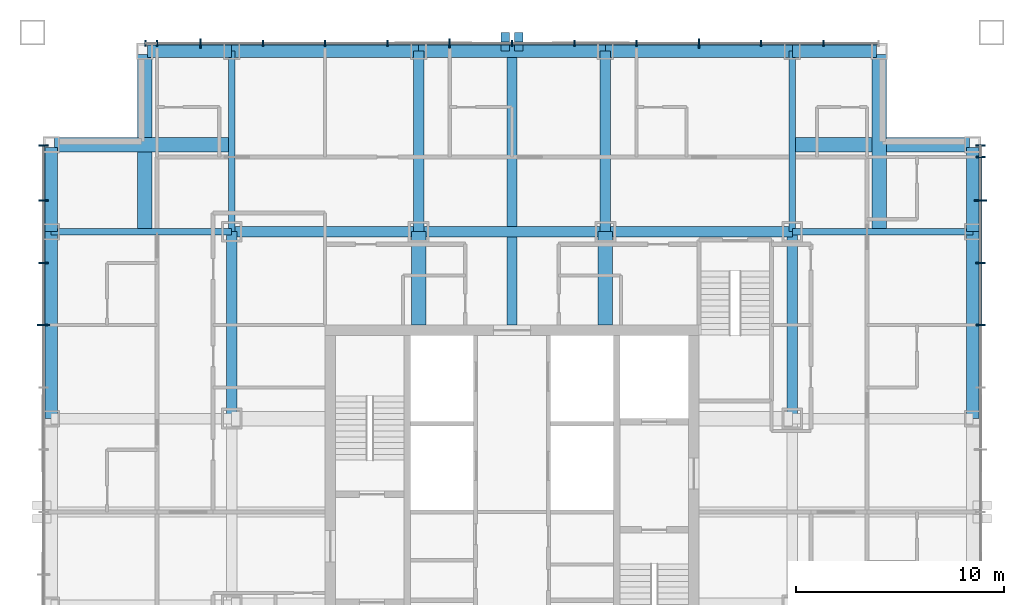
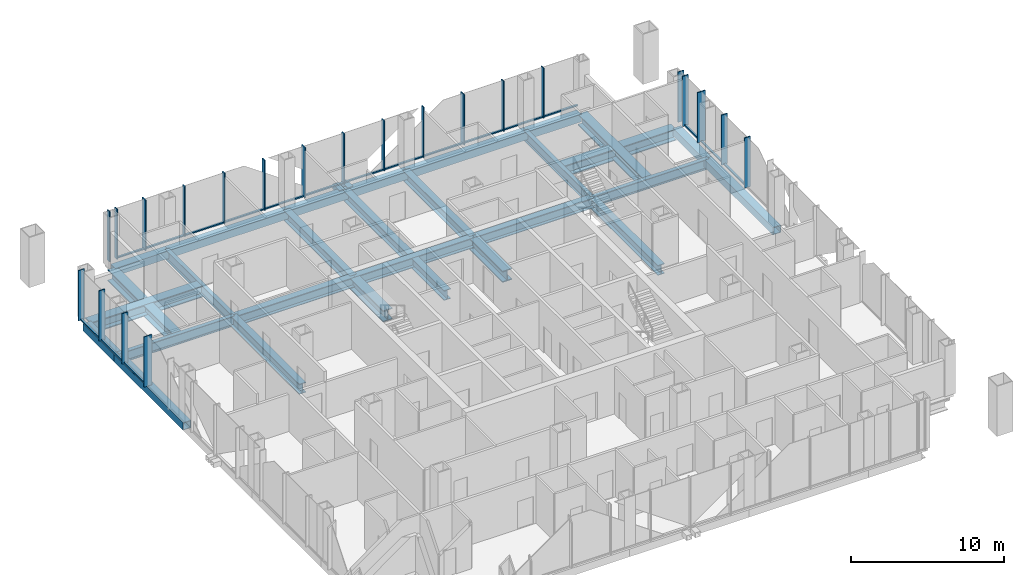
# One storey, part 4 of 17: 42 members, 27 beams, 3 elements without a shape of their own.
"""IFC4 building model written with IfcOpenShell, lengths in metres."""

from ifc_helpers import new_model, si_unit, direction, frame, origin, origin_2d, place, context, subcontext, project, spatial, rectangle, hollow_rectangle, i_section, extrude, material, layer, layer_set, material_profile, profile_set, type_object, element, aggregate, save


model = new_model("IFC4")

# Units and contexts
model_context = context("Model", 3, precision=1e-05, world=origin(), true_north=direction((0.0, 1.0)))
body_context = subcontext(model_context, "Body", "Model", "MODEL_VIEW")
ifc_project = project(units=[si_unit("LENGTHUNIT", "METRE"), si_unit("AREAUNIT", "SQUARE_METRE"), si_unit("VOLUMEUNIT", "CUBIC_METRE"), si_unit("PLANEANGLEUNIT", "RADIAN"), si_unit("MASSUNIT", "GRAM", prefix="KILO")], contexts=[model_context])

# Site, building, storey
site_placement = place(None, origin())
site = spatial("IfcSite", under=ifc_project, at=site_placement, CompositionType="ELEMENT")
building_placement = place(site_placement, origin())
building = spatial("IfcBuilding", under=site, at=building_placement, Name="Malebo Sky Hospital", CompositionType="ELEMENT")
storey_placement = place(building_placement, frame((0.0, 0.0, 193.0)))
storey = spatial("IfcBuildingStorey", under=building, at=storey_placement, Name="L46", CompositionType="ELEMENT", Elevation=193.0)

# Curtain wall, members
ifc_material_1 = material(Name="Anodised aluminium, natural silver", Category="aluminium")
ifc_layer_1 = layer(ifc_material_1, 0.25)
ifc_layer_set_1 = layer_set([ifc_layer_1], Name="WARD CURTAIN WALL NORTH AND SOUTH")
curtain_wall_type_1 = type_object("IfcCurtainWallType", Name="WARD CURTAIN WALL NORTH AND SOUTH", PredefinedType="NOTDEFINED", material=ifc_layer_set_1)
curtain_wall_1_placement = place(storey_placement, origin())
curtain_wall_1 = element("IfcCurtainWall", 1, at=curtain_wall_1_placement, inside=storey, type_object=curtain_wall_type_1, Name="NS curtain wall N", PredefinedType="NOTDEFINED")
ifc_material_profile_1 = material_profile(ifc_material_1, rectangle(XDim=0.14990234375, YDim=0.10009765625, at=origin_2d()), Name="ALUMINIUM TRANSOM 150x100")
ifc_profile_set_1 = profile_set([ifc_material_profile_1], Name="Anodised aluminium, natural silver")
member_type_1 = type_object("IfcMemberType", Name="ALUMINIUM TRANSOM 150x100", PredefinedType="USERDEFINED", material=ifc_profile_set_1)
member_1_placement = place(storey_placement, frame((42.9375, 84.574951171875, 0.050048828125), z_axis=(1.0, 0.0, 0.0), x_axis=(0.0, 1.0, 0.0)))
member_1 = element("IfcMember", 2, at=member_1_placement, type_object=member_type_1, Name="Transom 2", ObjectType="TRANSOM", PredefinedType="USERDEFINED", context=body_context, shape_type="SweptSolid", body=[
    extrude(rectangle(XDim=0.14990234375, YDim=0.10009765625, at=origin_2d()), origin(), (0.0, 0.0, 1.0), 2.02490234375),
])
member_2_placement = place(storey_placement, frame((45.03759765625, 84.574951171875, 0.050048828125), z_axis=(1.0, 0.0, 0.0), x_axis=(0.0, 1.0, 0.0)))
member_2 = element("IfcMember", 3, at=member_2_placement, type_object=member_type_1, Name="Transom 3", ObjectType="TRANSOM", PredefinedType="USERDEFINED", context=body_context, shape_type="SweptSolid", body=[
    extrude(rectangle(XDim=0.14990234375, YDim=0.10009765625, at=origin_2d()), origin(), (0.0, 0.0, 1.0), 2.9248046875),
])
member_3_placement = place(storey_placement, frame((48.03759765625, 84.574951171875, 0.050048828125), z_axis=(1.0, 0.0, 0.0), x_axis=(0.0, 1.0, 0.0)))
member_3 = element("IfcMember", 4, at=member_3_placement, type_object=member_type_1, Name="Transom 4", ObjectType="TRANSOM", PredefinedType="USERDEFINED", context=body_context, shape_type="SweptSolid", body=[
    extrude(rectangle(XDim=0.14990234375, YDim=0.10009765625, at=origin_2d()), origin(), (0.0, 0.0, 1.0), 2.9248046875),
])
member_4_placement = place(storey_placement, frame((51.03759765625, 84.574951171875, 0.050048828125), z_axis=(1.0, 0.0, 0.0), x_axis=(0.0, 1.0, 0.0)))
member_4 = element("IfcMember", 5, at=member_4_placement, type_object=member_type_1, Name="Transom 5", ObjectType="TRANSOM", PredefinedType="USERDEFINED", context=body_context, shape_type="SweptSolid", body=[
    extrude(rectangle(XDim=0.14990234375, YDim=0.10009765625, at=origin_2d()), origin(), (0.0, 0.0, 1.0), 2.9248046875),
])
member_5_placement = place(storey_placement, frame((54.03759765625, 84.574951171875, 0.050048828125), z_axis=(1.0, 0.0, 0.0), x_axis=(0.0, 1.0, 0.0)))
member_5 = element("IfcMember", 6, at=member_5_placement, type_object=member_type_1, Name="Transom 6", ObjectType="TRANSOM", PredefinedType="USERDEFINED", context=body_context, shape_type="SweptSolid", body=[
    extrude(rectangle(XDim=0.14990234375, YDim=0.10009765625, at=origin_2d()), origin(), (0.0, 0.0, 1.0), 2.9248046875),
])
member_6_placement = place(storey_placement, frame((57.03759765625, 84.574951171875, 0.050048828125), z_axis=(1.0, 0.0, 0.0), x_axis=(0.0, 1.0, 0.0)))
member_6 = element("IfcMember", 7, at=member_6_placement, type_object=member_type_1, Name="Transom 7", ObjectType="TRANSOM", PredefinedType="USERDEFINED", context=body_context, shape_type="SweptSolid", body=[
    extrude(rectangle(XDim=0.14990234375, YDim=0.10009765625, at=origin_2d()), origin(), (0.0, 0.0, 1.0), 2.9248046875),
])
member_7_placement = place(storey_placement, frame((60.03759765625, 84.574951171875, 0.050048828125), z_axis=(1.0, 0.0, 0.0), x_axis=(0.0, 1.0, 0.0)))
member_7 = element("IfcMember", 8, at=member_7_placement, type_object=member_type_1, Name="Transom 8", ObjectType="TRANSOM", PredefinedType="USERDEFINED", context=body_context, shape_type="SweptSolid", body=[
    extrude(rectangle(XDim=0.14990234375, YDim=0.10009765625, at=origin_2d()), origin(), (0.0, 0.0, 1.0), 2.9248046875),
])
member_8_placement = place(storey_placement, frame((63.03759765625, 84.574951171875, 0.050048828125), z_axis=(1.0, 0.0, 0.0), x_axis=(0.0, 1.0, 0.0)))
member_8 = element("IfcMember", 9, at=member_8_placement, type_object=member_type_1, Name="Transom 9", ObjectType="TRANSOM", PredefinedType="USERDEFINED", context=body_context, shape_type="SweptSolid", body=[
    extrude(rectangle(XDim=0.14990234375, YDim=0.10009765625, at=origin_2d()), origin(), (0.0, 0.0, 1.0), 2.9248046875),
])
member_9_placement = place(storey_placement, frame((66.03759765625, 84.574951171875, 0.050048828125), z_axis=(1.0, 0.0, 0.0), x_axis=(0.0, 1.0, 0.0)))
member_9 = element("IfcMember", 10, at=member_9_placement, type_object=member_type_1, Name="Transom 10", ObjectType="TRANSOM", PredefinedType="USERDEFINED", context=body_context, shape_type="SweptSolid", body=[
    extrude(rectangle(XDim=0.14990234375, YDim=0.10009765625, at=origin_2d()), origin(), (0.0, 0.0, 1.0), 2.9248046875),
])
member_10_placement = place(storey_placement, frame((69.03759765625, 84.574951171875, 0.050048828125), z_axis=(1.0, 0.0, 0.0), x_axis=(0.0, 1.0, 0.0)))
member_10 = element("IfcMember", 11, at=member_10_placement, type_object=member_type_1, Name="Transom 11", ObjectType="TRANSOM", PredefinedType="USERDEFINED", context=body_context, shape_type="SweptSolid", body=[
    extrude(rectangle(XDim=0.14990234375, YDim=0.10009765625, at=origin_2d()), origin(), (0.0, 0.0, 1.0), 2.9248046875),
])
member_11_placement = place(storey_placement, frame((72.03759765625, 84.574951171875, 0.050048828125), z_axis=(1.0, 0.0, 0.0), x_axis=(0.0, 1.0, 0.0)))
member_11 = element("IfcMember", 12, at=member_11_placement, type_object=member_type_1, Name="Transom 12", ObjectType="TRANSOM", PredefinedType="USERDEFINED", context=body_context, shape_type="SweptSolid", body=[
    extrude(rectangle(XDim=0.14990234375, YDim=0.10009765625, at=origin_2d()), origin(), (0.0, 0.0, 1.0), 2.9248046875),
])
member_12_placement = place(storey_placement, frame((75.03759765625, 84.574951171875, 0.050048828125), z_axis=(1.0, 0.0, 0.0), x_axis=(0.0, 1.0, 0.0)))
member_12 = element("IfcMember", 13, at=member_12_placement, type_object=member_type_1, Name="Transom 13", ObjectType="TRANSOM", PredefinedType="USERDEFINED", context=body_context, shape_type="SweptSolid", body=[
    extrude(rectangle(XDim=0.14990234375, YDim=0.10009765625, at=origin_2d()), origin(), (0.0, 0.0, 1.0), 2.58740234375),
])

ifc_layer_2 = layer(ifc_material_1, 0.25)
ifc_layer_set_2 = layer_set([ifc_layer_2], Name="WARD CURTAIN WALL EAST AND WEST")
curtain_wall_type_2 = type_object("IfcCurtainWallType", Name="WARD CURTAIN WALL EAST AND WEST", PredefinedType="NOTDEFINED", material=ifc_layer_set_2)
curtain_wall_2_placement = place(storey_placement, origin())
curtain_wall_2 = element("IfcCurtainWall", 14, at=curtain_wall_2_placement, inside=storey, type_object=curtain_wall_type_2, Name="EW curtain wall W", PredefinedType="NOTDEFINED")
member_13_placement = place(storey_placement, frame((37.425048828125, 71.03759765625, 0.050048828125), z_axis=(0.0, 1.0, 0.0), x_axis=(-1.0, 0.0, 0.0)))
member_13 = element("IfcMember", 15, at=member_13_placement, type_object=member_type_1, Name="Transom 11", ObjectType="TRANSOM", PredefinedType="USERDEFINED", context=body_context, shape_type="SweptSolid", body=[
    extrude(rectangle(XDim=0.14990234375, YDim=0.10009765625, at=origin_2d()), origin(), (0.0, 0.0, 1.0), 2.9248046875),
])
member_14_placement = place(storey_placement, frame((37.425048828125, 74.03759765625, 0.050048828125), z_axis=(0.0, 1.0, 0.0), x_axis=(-1.0, 0.0, 0.0)))
member_14 = element("IfcMember", 16, at=member_14_placement, type_object=member_type_1, Name="Transom 12", ObjectType="TRANSOM", PredefinedType="USERDEFINED", context=body_context, shape_type="SweptSolid", body=[
    extrude(rectangle(XDim=0.14990234375, YDim=0.10009765625, at=origin_2d()), origin(), (0.0, 0.0, 1.0), 2.9248046875),
])
member_15_placement = place(storey_placement, frame((37.425048828125, 77.03759765625, 0.050048828125), z_axis=(0.0, 1.0, 0.0), x_axis=(-1.0, 0.0, 0.0)))
member_15 = element("IfcMember", 17, at=member_15_placement, type_object=member_type_1, Name="Transom 13", ObjectType="TRANSOM", PredefinedType="USERDEFINED", context=body_context, shape_type="SweptSolid", body=[
    extrude(rectangle(XDim=0.14990234375, YDim=0.10009765625, at=origin_2d()), origin(), (0.0, 0.0, 1.0), 2.58740234375),
])

curtain_wall_3_placement = place(storey_placement, origin())
curtain_wall_3 = element("IfcCurtainWall", 18, at=curtain_wall_3_placement, inside=storey, type_object=curtain_wall_type_2, Name="EW curtain wall E", PredefinedType="NOTDEFINED")
member_16_placement = place(storey_placement, frame((82.574951171875, 79.0625, 0.050048828125), z_axis=(0.0, -1.0, 0.0), x_axis=(1.0, 0.0, 0.0)))
member_16 = element("IfcMember", 19, at=member_16_placement, type_object=member_type_1, Name="Transom 2", ObjectType="TRANSOM", PredefinedType="USERDEFINED", context=body_context, shape_type="SweptSolid", body=[
    extrude(rectangle(XDim=0.14990234375, YDim=0.10009765625, at=origin_2d()), origin(), (0.0, 0.0, 1.0), 2.02490234375),
])
member_17_placement = place(storey_placement, frame((82.574951171875, 76.96240234375, 0.050048828125), z_axis=(0.0, -1.0, 0.0), x_axis=(1.0, 0.0, 0.0)))
member_17 = element("IfcMember", 20, at=member_17_placement, type_object=member_type_1, Name="Transom 3", ObjectType="TRANSOM", PredefinedType="USERDEFINED", context=body_context, shape_type="SweptSolid", body=[
    extrude(rectangle(XDim=0.14990234375, YDim=0.10009765625, at=origin_2d()), origin(), (0.0, 0.0, 1.0), 2.9248046875),
])
member_18_placement = place(storey_placement, frame((82.574951171875, 73.96240234375, 0.050048828125), z_axis=(0.0, -1.0, 0.0), x_axis=(1.0, 0.0, 0.0)))
member_18 = element("IfcMember", 21, at=member_18_placement, type_object=member_type_1, Name="Transom 4", ObjectType="TRANSOM", PredefinedType="USERDEFINED", context=body_context, shape_type="SweptSolid", body=[
    extrude(rectangle(XDim=0.14990234375, YDim=0.10009765625, at=origin_2d()), origin(), (0.0, 0.0, 1.0), 2.9248046875),
])

# Members
ifc_material_2 = material(Name="Steel S355", Category="steel")
ifc_material_profile_2 = material_profile(ifc_material_2, hollow_rectangle(XDim=0.39990234375, YDim=0.39990234375, WallThickness=0.02001953125, at=origin_2d()), Name="SHS 400x20")
ifc_profile_set_2 = profile_set([ifc_material_profile_2], Name="Steel S355")
member_type_2 = type_object("IfcMemberType", Name="BRACE STRUT SHS 400x20", PredefinedType="STRUT", material=ifc_profile_set_2)
for number, where, z_axis, x_axis, name in (
    (22, (59.6796875, 85.10009765625, -0.39990234375), (0.0, -1.0, 0.0), (1.0, 0.0, 0.0), "Brace strut CN1 L46"),
    (23, (60.3203125, 85.10009765625, -0.39990234375), (0.0, -1.0, 0.0), (1.0, 0.0, 0.0), "Brace strut CN2 L46"),
):
    element("IfcMember", number, at=place(storey_placement, frame(where, z_axis=z_axis, x_axis=x_axis)), inside=storey, type_object=member_type_2, Name=name, PredefinedType="STRUT", context=body_context, shape_type="SweptSolid", body=[
        extrude(hollow_rectangle(XDim=0.39990234375, YDim=0.39990234375, WallThickness=0.02001953125, at=origin_2d()), origin(), (0.0, 0.0, 1.0), 0.900146484375),
    ])

# Member
ifc_material_profile_3 = material_profile(ifc_material_1, rectangle(XDim=0.074951171875, YDim=0.300048828125, at=origin_2d()), Name="CW1 ALUMINIUM FIN MULLION 75x300")
ifc_profile_set_3 = profile_set([ifc_material_profile_3], Name="Anodised aluminium, natural silver")
member_type_3 = type_object("IfcMemberType", Name="CW1 ALUMINIUM FIN MULLION 75x300", PredefinedType="MULLION", material=ifc_profile_set_3)
member_19_placement = place(storey_placement, frame((42.33740234375, 84.574951171875, 0.0), z_axis=(0.0, 0.0, 1.0), x_axis=(1.0, 0.0, 0.0)))
member_19 = element("IfcMember", 24, at=member_19_placement, type_object=member_type_3, Name="Fin mullion 1", PredefinedType="MULLION", context=body_context, shape_type="SweptSolid", body=[
    extrude(rectangle(XDim=0.074951171875, YDim=0.300048828125, at=origin_2d()), origin(), (0.0, 0.0, 1.0), 4.0),
])

member_20_placement = place(storey_placement, frame((42.89990234375, 84.574951171875, 0.0), z_axis=(0.0, 0.0, 1.0), x_axis=(1.0, 0.0, 0.0)))
member_20 = element("IfcMember", 25, at=member_20_placement, type_object=member_type_3, Name="Fin mullion 2", PredefinedType="MULLION", context=body_context, shape_type="SweptSolid", body=[
    extrude(rectangle(XDim=0.074951171875, YDim=0.300048828125, at=origin_2d()), origin(), (0.0, 0.0, 1.0), 4.0),
])

member_21_placement = place(storey_placement, frame((48.0, 84.574951171875, 0.0), z_axis=(0.0, 0.0, 1.0), x_axis=(1.0, 0.0, 0.0)))
member_21 = element("IfcMember", 26, at=member_21_placement, type_object=member_type_3, Name="Fin mullion 4", PredefinedType="MULLION", context=body_context, shape_type="SweptSolid", body=[
    extrude(rectangle(XDim=0.074951171875, YDim=0.300048828125, at=origin_2d()), origin(), (0.0, 0.0, 1.0), 4.0),
])

member_22_placement = place(storey_placement, frame((51.0, 84.574951171875, 0.0), z_axis=(0.0, 0.0, 1.0), x_axis=(1.0, 0.0, 0.0)))
member_22 = element("IfcMember", 27, at=member_22_placement, type_object=member_type_3, Name="Fin mullion 5", PredefinedType="MULLION", context=body_context, shape_type="SweptSolid", body=[
    extrude(rectangle(XDim=0.074951171875, YDim=0.300048828125, at=origin_2d()), origin(), (0.0, 0.0, 1.0), 4.0),
])

member_23_placement = place(storey_placement, frame((54.0, 84.574951171875, 0.0), z_axis=(0.0, 0.0, 1.0), x_axis=(1.0, 0.0, 0.0)))
member_23 = element("IfcMember", 28, at=member_23_placement, type_object=member_type_3, Name="Fin mullion 6", PredefinedType="MULLION", context=body_context, shape_type="SweptSolid", body=[
    extrude(rectangle(XDim=0.074951171875, YDim=0.300048828125, at=origin_2d()), origin(), (0.0, 0.0, 1.0), 4.0),
])

member_24_placement = place(storey_placement, frame((60.0, 84.574951171875, 0.0), z_axis=(0.0, 0.0, 1.0), x_axis=(1.0, 0.0, 0.0)))
member_24 = element("IfcMember", 29, at=member_24_placement, type_object=member_type_3, Name="Fin mullion 8", PredefinedType="MULLION", context=body_context, shape_type="SweptSolid", body=[
    extrude(rectangle(XDim=0.074951171875, YDim=0.300048828125, at=origin_2d()), origin(), (0.0, 0.0, 1.0), 4.0),
])

member_25_placement = place(storey_placement, frame((63.0, 84.574951171875, 0.0), z_axis=(0.0, 0.0, 1.0), x_axis=(1.0, 0.0, 0.0)))
member_25 = element("IfcMember", 30, at=member_25_placement, type_object=member_type_3, Name="Fin mullion 9", PredefinedType="MULLION", context=body_context, shape_type="SweptSolid", body=[
    extrude(rectangle(XDim=0.074951171875, YDim=0.300048828125, at=origin_2d()), origin(), (0.0, 0.0, 1.0), 4.0),
])

member_26_placement = place(storey_placement, frame((66.0, 84.574951171875, 0.0), z_axis=(0.0, 0.0, 1.0), x_axis=(1.0, 0.0, 0.0)))
member_26 = element("IfcMember", 31, at=member_26_placement, type_object=member_type_3, Name="Fin mullion 10", PredefinedType="MULLION", context=body_context, shape_type="SweptSolid", body=[
    extrude(rectangle(XDim=0.074951171875, YDim=0.300048828125, at=origin_2d()), origin(), (0.0, 0.0, 1.0), 4.0),
])

member_27_placement = place(storey_placement, frame((72.0, 84.574951171875, 0.0), z_axis=(0.0, 0.0, 1.0), x_axis=(1.0, 0.0, 0.0)))
member_27 = element("IfcMember", 32, at=member_27_placement, type_object=member_type_3, Name="Fin mullion 12", PredefinedType="MULLION", context=body_context, shape_type="SweptSolid", body=[
    extrude(rectangle(XDim=0.074951171875, YDim=0.300048828125, at=origin_2d()), origin(), (0.0, 0.0, 1.0), 4.0),
])

member_28_placement = place(storey_placement, frame((75.0, 84.574951171875, 0.0), z_axis=(0.0, 0.0, 1.0), x_axis=(1.0, 0.0, 0.0)))
member_28 = element("IfcMember", 33, at=member_28_placement, type_object=member_type_3, Name="Fin mullion 13", PredefinedType="MULLION", context=body_context, shape_type="SweptSolid", body=[
    extrude(rectangle(XDim=0.074951171875, YDim=0.300048828125, at=origin_2d()), origin(), (0.0, 0.0, 1.0), 4.0),
])

ifc_material_profile_4 = material_profile(ifc_material_1, rectangle(XDim=0.074951171875, YDim=0.449951171875, at=origin_2d()), Name="CW1 ALUMINIUM FIN MULLION 75x450")
ifc_profile_set_4 = profile_set([ifc_material_profile_4], Name="Anodised aluminium, natural silver")
member_type_4 = type_object("IfcMemberType", Name="CW1 ALUMINIUM FIN MULLION 75x450", PredefinedType="MULLION", material=ifc_profile_set_4)
member_29_placement = place(storey_placement, frame((45.0, 84.574951171875, 0.0), z_axis=(0.0, 0.0, 1.0), x_axis=(1.0, 0.0, 0.0)))
member_29 = element("IfcMember", 34, at=member_29_placement, type_object=member_type_4, Name="Fin mullion 3", PredefinedType="MULLION", context=body_context, shape_type="SweptSolid", body=[
    extrude(rectangle(XDim=0.074951171875, YDim=0.449951171875, at=origin_2d()), origin(), (0.0, 0.0, 1.0), 4.0),
])

member_30_placement = place(storey_placement, frame((57.0, 84.574951171875, 0.0), z_axis=(0.0, 0.0, 1.0), x_axis=(1.0, 0.0, 0.0)))
member_30 = element("IfcMember", 35, at=member_30_placement, type_object=member_type_4, Name="Fin mullion 7", PredefinedType="MULLION", context=body_context, shape_type="SweptSolid", body=[
    extrude(rectangle(XDim=0.074951171875, YDim=0.449951171875, at=origin_2d()), origin(), (0.0, 0.0, 1.0), 4.0),
])

member_31_placement = place(storey_placement, frame((69.0, 84.574951171875, 0.0), z_axis=(0.0, 0.0, 1.0), x_axis=(1.0, 0.0, 0.0)))
member_31 = element("IfcMember", 36, at=member_31_placement, type_object=member_type_4, Name="Fin mullion 11", PredefinedType="MULLION", context=body_context, shape_type="SweptSolid", body=[
    extrude(rectangle(XDim=0.074951171875, YDim=0.449951171875, at=origin_2d()), origin(), (0.0, 0.0, 1.0), 4.0),
])

aggregate(curtain_wall_1, [member_19, member_20, member_29, member_21, member_22, member_23, member_30, member_24, member_25, member_26, member_31, member_27, member_28, member_1, member_2, member_3, member_4, member_5, member_6, member_7, member_8, member_9, member_10, member_11, member_12])

ifc_material_profile_5 = material_profile(ifc_material_1, rectangle(XDim=0.074951171875, YDim=0.449951171875, at=origin_2d()), Name="CW2 ALUMINIUM FIN MULLION 75x450")
ifc_profile_set_5 = profile_set([ifc_material_profile_5], Name="Anodised aluminium, natural silver")
member_type_5 = type_object("IfcMemberType", Name="CW2 ALUMINIUM FIN MULLION 75x450", PredefinedType="MULLION", material=ifc_profile_set_5)
member_32_placement = place(storey_placement, frame((37.425048828125, 74.0, 0.0), z_axis=(0.0, 0.0, 1.0), x_axis=(0.0, 1.0, 0.0)))
member_32 = element("IfcMember", 37, at=member_32_placement, type_object=member_type_5, Name="Fin mullion 12", PredefinedType="MULLION", context=body_context, shape_type="SweptSolid", body=[
    extrude(rectangle(XDim=0.074951171875, YDim=0.449951171875, at=origin_2d()), origin(), (0.0, 0.0, 1.0), 4.0),
])

member_33_placement = place(storey_placement, frame((37.425048828125, 77.0, 0.0), z_axis=(0.0, 0.0, 1.0), x_axis=(0.0, 1.0, 0.0)))
member_33 = element("IfcMember", 38, at=member_33_placement, type_object=member_type_5, Name="Fin mullion 13", PredefinedType="MULLION", context=body_context, shape_type="SweptSolid", body=[
    extrude(rectangle(XDim=0.074951171875, YDim=0.449951171875, at=origin_2d()), origin(), (0.0, 0.0, 1.0), 4.0),
])

member_34_placement = place(storey_placement, frame((37.425048828125, 79.66259765625, 0.0), z_axis=(0.0, 0.0, 1.0), x_axis=(0.0, 1.0, 0.0)))
member_34 = element("IfcMember", 39, at=member_34_placement, type_object=member_type_5, Name="Fin mullion 14", PredefinedType="MULLION", context=body_context, shape_type="SweptSolid", body=[
    extrude(rectangle(XDim=0.074951171875, YDim=0.449951171875, at=origin_2d()), origin(), (0.0, 0.0, 1.0), 4.0),
])

member_35_placement = place(storey_placement, frame((82.574951171875, 79.66259765625, 0.0), z_axis=(0.0, 0.0, 1.0), x_axis=(0.0, -1.0, 0.0)))
member_35 = element("IfcMember", 40, at=member_35_placement, type_object=member_type_5, Name="Fin mullion 1", PredefinedType="MULLION", context=body_context, shape_type="SweptSolid", body=[
    extrude(rectangle(XDim=0.074951171875, YDim=0.449951171875, at=origin_2d()), origin(), (0.0, 0.0, 1.0), 4.0),
])

member_36_placement = place(storey_placement, frame((82.574951171875, 79.10009765625, 0.0), z_axis=(0.0, 0.0, 1.0), x_axis=(0.0, -1.0, 0.0)))
member_36 = element("IfcMember", 41, at=member_36_placement, type_object=member_type_5, Name="Fin mullion 2", PredefinedType="MULLION", context=body_context, shape_type="SweptSolid", body=[
    extrude(rectangle(XDim=0.074951171875, YDim=0.449951171875, at=origin_2d()), origin(), (0.0, 0.0, 1.0), 4.0),
])

member_37_placement = place(storey_placement, frame((82.574951171875, 74.0, 0.0), z_axis=(0.0, 0.0, 1.0), x_axis=(0.0, -1.0, 0.0)))
member_37 = element("IfcMember", 42, at=member_37_placement, type_object=member_type_5, Name="Fin mullion 4", PredefinedType="MULLION", context=body_context, shape_type="SweptSolid", body=[
    extrude(rectangle(XDim=0.074951171875, YDim=0.449951171875, at=origin_2d()), origin(), (0.0, 0.0, 1.0), 4.0),
])

member_38_placement = place(storey_placement, frame((82.574951171875, 71.0, 0.0), z_axis=(0.0, 0.0, 1.0), x_axis=(0.0, -1.0, 0.0)))
member_38 = element("IfcMember", 43, at=member_38_placement, type_object=member_type_5, Name="Fin mullion 5", PredefinedType="MULLION", context=body_context, shape_type="SweptSolid", body=[
    extrude(rectangle(XDim=0.074951171875, YDim=0.449951171875, at=origin_2d()), origin(), (0.0, 0.0, 1.0), 4.0),
])

ifc_material_profile_6 = material_profile(ifc_material_1, rectangle(XDim=0.074951171875, YDim=0.60009765625, at=origin_2d()), Name="CW2 ALUMINIUM FIN MULLION 75x600")
ifc_profile_set_6 = profile_set([ifc_material_profile_6], Name="Anodised aluminium, natural silver")
member_type_6 = type_object("IfcMemberType", Name="CW2 ALUMINIUM FIN MULLION 75x600", PredefinedType="MULLION", material=ifc_profile_set_6)
member_39_placement = place(storey_placement, frame((37.425048828125, 71.0, 0.0), z_axis=(0.0, 0.0, 1.0), x_axis=(0.0, 1.0, 0.0)))
member_39 = element("IfcMember", 44, at=member_39_placement, type_object=member_type_6, Name="Fin mullion 11", PredefinedType="MULLION", context=body_context, shape_type="SweptSolid", body=[
    extrude(rectangle(XDim=0.074951171875, YDim=0.60009765625, at=origin_2d()), origin(), (0.0, 0.0, 1.0), 4.0),
])

aggregate(curtain_wall_2, [member_39, member_32, member_33, member_34, member_13, member_14, member_15])

member_40_placement = place(storey_placement, frame((82.574951171875, 77.0, 0.0), z_axis=(0.0, 0.0, 1.0), x_axis=(0.0, -1.0, 0.0)))
member_40 = element("IfcMember", 45, at=member_40_placement, type_object=member_type_6, Name="Fin mullion 3", PredefinedType="MULLION", context=body_context, shape_type="SweptSolid", body=[
    extrude(rectangle(XDim=0.074951171875, YDim=0.60009765625, at=origin_2d()), origin(), (0.0, 0.0, 1.0), 4.0),
])

aggregate(curtain_wall_3, [member_35, member_36, member_40, member_37, member_38, member_16, member_17, member_18])

# Beams
ifc_material_3 = material(Name="Steel S460", Category="steel")
ifc_material_profile_7 = material_profile(ifc_material_3, hollow_rectangle(XDim=0.60009765625, YDim=0.60009765625, WallThickness=0.0400390625, at=origin_2d()), Name="BOX 600x600x40")
ifc_profile_set_7 = profile_set([ifc_material_profile_7], Name="Steel S460")
beam_type_1 = type_object("IfcBeamType", Name="EDGE BEAM BOX 600x600x40", PredefinedType="BEAM", material=ifc_profile_set_7)
beam_1_placement = place(storey_placement, frame((37.800048828125, 66.5, -0.550048828125), z_axis=(0.0, 1.0, 0.0), x_axis=(-1.0, 0.0, 0.0)))
element("IfcBeam", 46, at=beam_1_placement, inside=storey, type_object=beam_type_1, Name="Beam 003 L46", PredefinedType="BEAM", context=body_context, shape_type="SweptSolid", body=[
    extrude(hollow_rectangle(XDim=0.60009765625, YDim=0.60009765625, WallThickness=0.0400390625, at=origin_2d()), origin(), (0.0, 0.0, 1.0), 9.0),
])
beam_2_placement = place(storey_placement, frame((37.800048828125, 75.5, -0.550048828125), z_axis=(0.0, 1.0, 0.0), x_axis=(-1.0, 0.0, 0.0)))
element("IfcBeam", 47, at=beam_2_placement, inside=storey, type_object=beam_type_1, Name="Beam 004 L46", PredefinedType="BEAM", context=body_context, shape_type="SweptSolid", body=[
    extrude(hollow_rectangle(XDim=0.60009765625, YDim=0.60009765625, WallThickness=0.0400390625, at=origin_2d()), origin(), (0.0, 0.0, 1.0), 4.050048828125),
])
beam_3_placement = place(storey_placement, frame((82.199951171875, 66.5, -0.550048828125), z_axis=(0.0, 1.0, 0.0), x_axis=(-1.0, 0.0, 0.0)))
element("IfcBeam", 48, at=beam_3_placement, inside=storey, type_object=beam_type_1, Name="Beam 032 L46", PredefinedType="BEAM", context=body_context, shape_type="SweptSolid", body=[
    extrude(hollow_rectangle(XDim=0.60009765625, YDim=0.60009765625, WallThickness=0.0400390625, at=origin_2d()), origin(), (0.0, 0.0, 1.0), 9.0),
])
for number, where, z_axis, x_axis, name in (
    (49, (82.199951171875, 75.5, -0.550048828125), (0.0, 1.0, 0.0), (-1.0, 0.0, 0.0), "Beam 033 L46"),
    (50, (42.449951171875, 84.199951171875, -0.550048828125), (1.0, 0.0, 0.0), (0.0, 1.0, 0.0), "Beam 063 L46"),
):
    element("IfcBeam", number, at=place(storey_placement, frame(where, z_axis=z_axis, x_axis=x_axis)), inside=storey, type_object=beam_type_1, Name=name, PredefinedType="BEAM", context=body_context, shape_type="SweptSolid", body=[
        extrude(hollow_rectangle(XDim=0.60009765625, YDim=0.60009765625, WallThickness=0.0400390625, at=origin_2d()), origin(), (0.0, 0.0, 1.0), 4.050048828125),
    ])
for number, where, z_axis, x_axis, name in (
    (51, (46.5, 84.199951171875, -0.550048828125), (1.0, 0.0, 0.0), (0.0, 1.0, 0.0), "Beam 064 L46"),
    (52, (55.5, 84.199951171875, -0.550048828125), (1.0, 0.0, 0.0), (0.0, 1.0, 0.0), "Beam 065 L46"),
    (53, (64.5, 84.199951171875, -0.550048828125), (1.0, 0.0, 0.0), (0.0, 1.0, 0.0), "Beam 066 L46"),
):
    element("IfcBeam", number, at=place(storey_placement, frame(where, z_axis=z_axis, x_axis=x_axis)), inside=storey, type_object=beam_type_1, Name=name, PredefinedType="BEAM", context=body_context, shape_type="SweptSolid", body=[
        extrude(hollow_rectangle(XDim=0.60009765625, YDim=0.60009765625, WallThickness=0.0400390625, at=origin_2d()), origin(), (0.0, 0.0, 1.0), 9.0),
    ])
beam_4_placement = place(storey_placement, frame((73.5, 84.199951171875, -0.550048828125), z_axis=(1.0, 0.0, 0.0), x_axis=(0.0, 1.0, 0.0)))
element("IfcBeam", 54, at=beam_4_placement, inside=storey, type_object=beam_type_1, Name="Beam 067 L46", PredefinedType="BEAM", context=body_context, shape_type="SweptSolid", body=[
    extrude(hollow_rectangle(XDim=0.60009765625, YDim=0.60009765625, WallThickness=0.0400390625, at=origin_2d()), origin(), (0.0, 0.0, 1.0), 4.050048828125),
])
ifc_material_profile_8 = material_profile(ifc_material_2, i_section(OverallWidth=0.5, OverallDepth=0.800048828125, WebThickness=0.030029296875, FlangeThickness=0.050048828125, at=origin_2d()), Name="PG 800x500x30x50")
ifc_profile_set_8 = profile_set([ifc_material_profile_8], Name="Steel S355")
beam_type_2 = type_object("IfcBeamType", Name="FLOOR BEAM PG 800x500x30x50", PredefinedType="BEAM", material=ifc_profile_set_8)
beam_5_placement = place(storey_placement, frame((46.5, 66.5, -0.64990234375), z_axis=(0.0, 1.0, 0.0), x_axis=(-1.0, 0.0, 0.0)))
element("IfcBeam", 55, at=beam_5_placement, inside=storey, type_object=beam_type_2, Name="Beam 010 L46", PredefinedType="BEAM", context=body_context, shape_type="SweptSolid", body=[
    extrude(i_section(OverallWidth=0.5, OverallDepth=0.800048828125, WebThickness=0.030029296875, FlangeThickness=0.050048828125, at=origin_2d()), origin(), (0.0, 0.0, 1.0), 9.0),
])
beam_6_placement = place(storey_placement, frame((55.5, 75.5, -0.64990234375), z_axis=(0.0, 1.0, 0.0), x_axis=(-1.0, 0.0, 0.0)))
element("IfcBeam", 56, at=beam_6_placement, inside=storey, type_object=beam_type_2, Name="Beam 015 L46", PredefinedType="BEAM", context=body_context, shape_type="SweptSolid", body=[
    extrude(i_section(OverallWidth=0.5, OverallDepth=0.800048828125, WebThickness=0.030029296875, FlangeThickness=0.050048828125, at=origin_2d()), origin(), (0.0, 0.0, 1.0), 8.699951171875),
])
beam_7_placement = place(storey_placement, frame((60.0, 71.0, -0.64990234375), z_axis=(0.0, 1.0, 0.0), x_axis=(-1.0, 0.0, 0.0)))
element("IfcBeam", 57, at=beam_7_placement, inside=storey, type_object=beam_type_2, Name="Beam 017 L46", PredefinedType="BEAM", context=body_context, shape_type="SweptSolid", body=[
    extrude(i_section(OverallWidth=0.5, OverallDepth=0.800048828125, WebThickness=0.030029296875, FlangeThickness=0.050048828125, at=origin_2d()), origin(), (0.0, 0.0, 1.0), 13.199951171875),
])
beam_8_placement = place(storey_placement, frame((64.5, 75.5, -0.64990234375), z_axis=(0.0, 1.0, 0.0), x_axis=(-1.0, 0.0, 0.0)))
element("IfcBeam", 58, at=beam_8_placement, inside=storey, type_object=beam_type_2, Name="Beam 021 L46", PredefinedType="BEAM", context=body_context, shape_type="SweptSolid", body=[
    extrude(i_section(OverallWidth=0.5, OverallDepth=0.800048828125, WebThickness=0.030029296875, FlangeThickness=0.050048828125, at=origin_2d()), origin(), (0.0, 0.0, 1.0), 8.699951171875),
])
for number, where, z_axis, x_axis, name in (
    (59, (73.5, 66.5, -0.64990234375), (0.0, 1.0, 0.0), (-1.0, 0.0, 0.0), "Beam 025 L46"),
    (60, (46.5, 75.5, -0.64990234375), (1.0, 0.0, 0.0), (0.0, 1.0, 0.0), "Beam 057 L46"),
    (61, (64.5, 75.5, -0.64990234375), (1.0, 0.0, 0.0), (0.0, 1.0, 0.0), "Beam 059 L46"),
):
    element("IfcBeam", number, at=place(storey_placement, frame(where, z_axis=z_axis, x_axis=x_axis)), inside=storey, type_object=beam_type_2, Name=name, PredefinedType="BEAM", context=body_context, shape_type="SweptSolid", body=[
        extrude(i_section(OverallWidth=0.5, OverallDepth=0.800048828125, WebThickness=0.030029296875, FlangeThickness=0.050048828125, at=origin_2d()), origin(), (0.0, 0.0, 1.0), 9.0),
    ])
ifc_material_profile_9 = material_profile(ifc_material_2, i_section(OverallWidth=0.699951171875, OverallDepth=0.89990234375, WebThickness=0.0400390625, FlangeThickness=0.070068359375, at=origin_2d()), Name="PG 900x700x40x70")
ifc_profile_set_9 = profile_set([ifc_material_profile_9], Name="Steel S355")
beam_type_3 = type_object("IfcBeamType", Name="FLOOR BEAM PG 900x700x40x70", PredefinedType="BEAM", material=ifc_profile_set_9)
beam_9_placement = place(storey_placement, frame((42.300048828125, 75.5, -0.699951171875), z_axis=(0.0, 1.0, 0.0), x_axis=(-1.0, 0.0, 0.0)))
element("IfcBeam", 62, at=beam_9_placement, inside=storey, type_object=beam_type_3, Name="Beam 006 L46", PredefinedType="BEAM", context=body_context, shape_type="SweptSolid", body=[
    extrude(i_section(OverallWidth=0.699951171875, OverallDepth=0.89990234375, WebThickness=0.0400390625, FlangeThickness=0.070068359375, at=origin_2d()), origin(), (0.0, 0.0, 1.0), 8.550048828125),
])
for number, where, z_axis, x_axis, name in (
    (63, (55.5, 71.0, -0.699951171875), (0.0, 1.0, 0.0), (-1.0, 0.0, 0.0), "Beam 014 L46"),
    (64, (64.5, 71.0, -0.699951171875), (0.0, 1.0, 0.0), (-1.0, 0.0, 0.0), "Beam 020 L46"),
):
    element("IfcBeam", number, at=place(storey_placement, frame(where, z_axis=z_axis, x_axis=x_axis)), inside=storey, type_object=beam_type_3, Name=name, PredefinedType="BEAM", context=body_context, shape_type="SweptSolid", body=[
        extrude(i_section(OverallWidth=0.699951171875, OverallDepth=0.89990234375, WebThickness=0.0400390625, FlangeThickness=0.070068359375, at=origin_2d()), origin(), (0.0, 0.0, 1.0), 4.5),
    ])
for number, where, z_axis, x_axis, name in (
    (65, (77.699951171875, 75.5, -0.699951171875), (0.0, 1.0, 0.0), (-1.0, 0.0, 0.0), "Beam 028 L46"),
    (66, (37.949951171875, 79.699951171875, -0.699951171875), (1.0, 0.0, 0.0), (0.0, 1.0, 0.0), "Beam 061 L46"),
    (67, (73.5, 79.699951171875, -0.699951171875), (1.0, 0.0, 0.0), (0.0, 1.0, 0.0), "Beam 062 L46"),
):
    element("IfcBeam", number, at=place(storey_placement, frame(where, z_axis=z_axis, x_axis=x_axis)), inside=storey, type_object=beam_type_3, Name=name, PredefinedType="BEAM", context=body_context, shape_type="SweptSolid", body=[
        extrude(i_section(OverallWidth=0.699951171875, OverallDepth=0.89990234375, WebThickness=0.0400390625, FlangeThickness=0.070068359375, at=origin_2d()), origin(), (0.0, 0.0, 1.0), 8.550048828125),
    ])
ifc_material_profile_10 = material_profile(ifc_material_2, i_section(OverallWidth=0.300048828125, OverallDepth=0.800048828125, WebThickness=0.017578125, FlangeThickness=0.032958984375, FilletRadius=0.030029296875, at=origin_2d()), Name="HEB 800")
ifc_profile_set_10 = profile_set([ifc_material_profile_10], Name="Steel S355")
beam_type_4 = type_object("IfcBeamType", Name="FLOOR GIRDER HEB 800", PredefinedType="BEAM", material=ifc_profile_set_10)
for number, where, z_axis, x_axis, name in (
    (68, (46.5, 75.5, -0.64990234375), (0.0, 1.0, 0.0), (-1.0, 0.0, 0.0), "Beam 011 L46"),
    (69, (73.5, 75.5, -0.64990234375), (0.0, 1.0, 0.0), (-1.0, 0.0, 0.0), "Beam 026 L46"),
    (70, (37.800048828125, 75.5, -0.64990234375), (1.0, 0.0, 0.0), (0.0, 1.0, 0.0), "Beam 056 L46"),
    (71, (73.5, 75.5, -0.64990234375), (1.0, 0.0, 0.0), (0.0, 1.0, 0.0), "Beam 060 L46"),
):
    element("IfcBeam", number, at=place(storey_placement, frame(where, z_axis=z_axis, x_axis=x_axis)), inside=storey, type_object=beam_type_4, Name=name, PredefinedType="BEAM", context=body_context, shape_type="SweptSolid", body=[
        extrude(i_section(OverallWidth=0.300048828125, OverallDepth=0.800048828125, WebThickness=0.017578125, FlangeThickness=0.032958984375, FilletRadius=0.030029296875, at=origin_2d()), origin(), (0.0, 0.0, 1.0), 8.699951171875),
    ])
ifc_material_profile_11 = material_profile(ifc_material_2, i_section(OverallWidth=0.5, OverallDepth=0.800048828125, WebThickness=0.030029296875, FlangeThickness=0.050048828125, at=origin_2d()), Name="PG 800x500x30x50")
ifc_profile_set_11 = profile_set([ifc_material_profile_11], Name="Steel S355")
beam_type_5 = type_object("IfcBeamType", Name="RING GIRDER PG 800x500x30x50", PredefinedType="BEAM", material=ifc_profile_set_11)
beam_10_placement = place(storey_placement, frame((55.5, 75.5, -0.64990234375), z_axis=(1.0, 0.0, 0.0), x_axis=(0.0, 1.0, 0.0)))
element("IfcBeam", 72, at=beam_10_placement, inside=storey, type_object=beam_type_5, Name="Beam 058 L46", PredefinedType="BEAM", context=body_context, shape_type="SweptSolid", body=[
    extrude(i_section(OverallWidth=0.5, OverallDepth=0.800048828125, WebThickness=0.030029296875, FlangeThickness=0.050048828125, at=origin_2d()), origin(), (0.0, 0.0, 1.0), 9.0),
])

save(model, "model.ifc")
